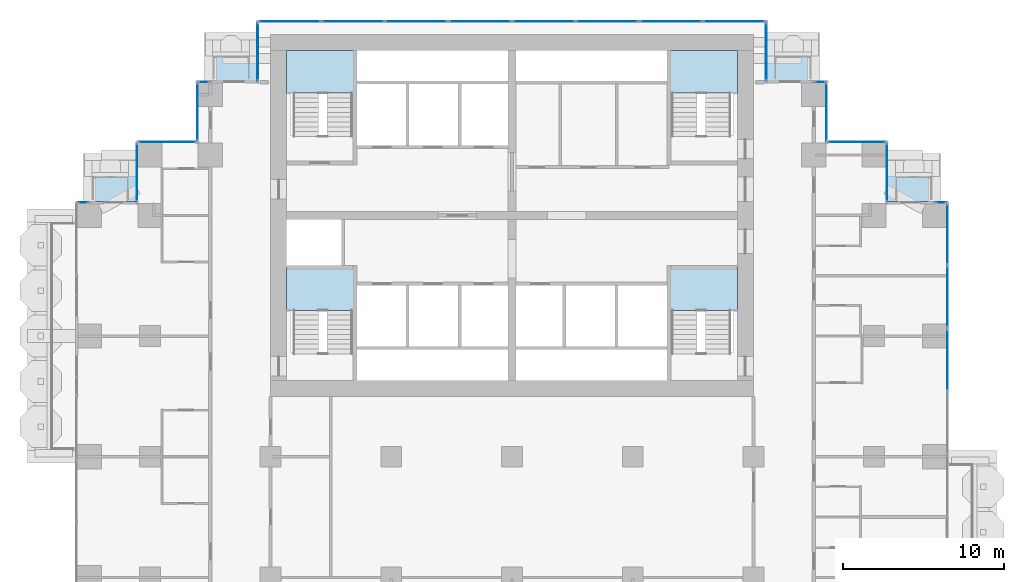
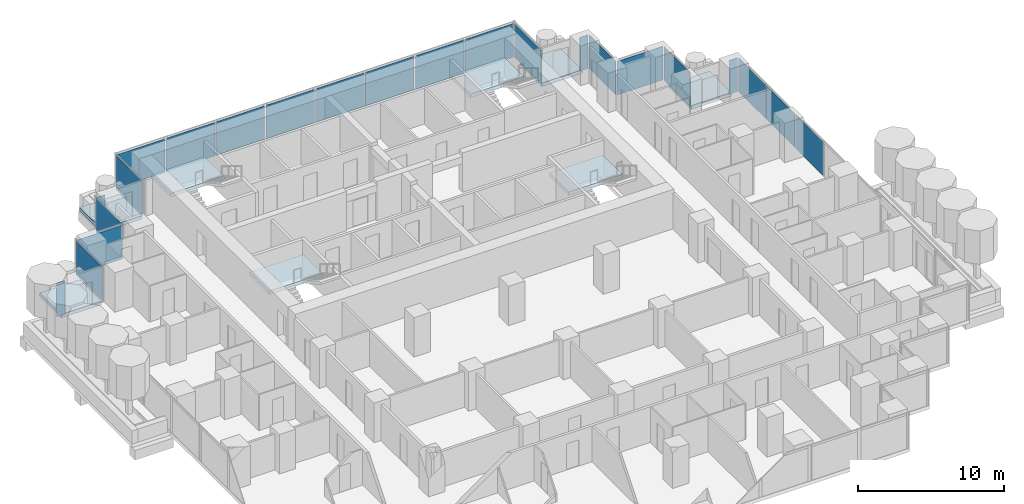
# One storey, part 9 of 18: 23 plates, 8 slabs, 21 elements without a shape of their own.
"""IFC4 building model written with IfcOpenShell, lengths in metres."""

import ifcopenshell
import ifcopenshell.guid

model = None  # the IFC model being written
_history = None  # IfcOwnerHistory: only IFC2X3 demands one
_inside = {}  # id of a spatial element -> (the spatial element, [elements in it])
_under = {}  # id of a project, library or spatial element -> (it, [spatial elements below it])
_declared = {}  # id of a project -> (the project, [libraries it declares])
_typed = {}  # id of a type object -> (the type object, [elements of that type])
_made_of = {}  # id of a material, layer set ... -> (it, [elements and type objects made of it])


def new_model(schema):
    """Start an empty IFC model of exactly this schema.

    Asked for "IFC4X3", IfcOpenShell would pick the latest addendum, in which some entities
    have other attributes; the version numbers below select the first issue.
    IFC2X3 requires an IfcOwnerHistory on every rooted entity: one is made here for all.
    """
    global model, _history
    if schema == "IFC4X3":
        model = ifcopenshell.file(schema_version=(4, 3, 0, 0))
    else:
        model = ifcopenshell.file(schema=schema)
    _inside.clear()
    _under.clear()
    _declared.clear()
    _typed.clear()
    _made_of.clear()
    _history = None
    if model.schema == "IFC2X3":
        org = make("IfcOrganization", Name="unknown")
        user = make(
            "IfcPersonAndOrganization",
            ThePerson=make("IfcPerson", FamilyName="unknown"),
            TheOrganization=org,
        )
        app = make(
            "IfcApplication",
            ApplicationDeveloper=org,
            Version="unknown",
            ApplicationFullName="unknown",
            ApplicationIdentifier="unknown",
        )
        _history = make(
            "IfcOwnerHistory",
            OwningUser=user,
            OwningApplication=app,
            ChangeAction="ADDED",
            CreationDate=0,
        )
    return model


def make(cls, **values):
    """One entity of the class cls with the attributes given. An attribute that is None is left unset."""
    return model.create_entity(
        cls, **{name: value for name, value in values.items() if value is not None}
    )


def rooted(cls, **values):
    """An entity with a GlobalId (a new one), such as an element, a storey or a relation."""
    return make(cls, GlobalId=ifcopenshell.guid.new(), OwnerHistory=_history, **values)


def si_unit(unit_type, name, prefix=None):
    """IfcSIUnit, for example si_unit("LENGTHUNIT", "METRE", prefix="MILLI")."""
    return make("IfcSIUnit", UnitType=unit_type, Prefix=prefix, Name=name)


def assignment(units):
    """IfcUnitAssignment: the units of a project."""
    return None if units is None else make("IfcUnitAssignment", Units=units)


def point(xyz):
    """IfcCartesianPoint."""
    return None if xyz is None else make("IfcCartesianPoint", Coordinates=xyz)


def direction(xyz):
    """IfcDirection."""
    return None if xyz is None else make("IfcDirection", DirectionRatios=xyz)


def frame(location, z_axis=None, x_axis=None):
    """IfcAxis2Placement3D, a coordinate frame: its origin and axes. An axis left out is left unset."""
    return make(
        "IfcAxis2Placement3D",
        Location=point(location),
        Axis=direction(z_axis),
        RefDirection=direction(x_axis),
    )


def frame_2d(location, x_axis=None):
    """IfcAxis2Placement2D, a coordinate frame in the plane: its origin and x axis."""
    return make(
        "IfcAxis2Placement2D", Location=point(location), RefDirection=direction(x_axis)
    )


def origin():
    """The frame at (0, 0, 0) with its axes left unset."""
    return frame((0.0, 0.0, 0.0))


def origin_2d():
    """The frame at (0, 0) in the plane with its x axis left unset."""
    return frame_2d((0.0, 0.0))


def place(relative_to, where):
    """IfcLocalPlacement: puts the frame where relative to a parent placement (None: the world)."""
    return make(
        "IfcLocalPlacement", PlacementRelTo=relative_to, RelativePlacement=where
    )


def context(
    kind, dimensions, precision=None, world=None, true_north=None, identifier=None
):
    """IfcGeometricRepresentationContext, for example the 3D "Model" context."""
    return make(
        "IfcGeometricRepresentationContext",
        ContextIdentifier=identifier,
        ContextType=kind,
        CoordinateSpaceDimension=dimensions,
        Precision=precision,
        WorldCoordinateSystem=world,
        TrueNorth=true_north,
    )


def subcontext(parent, identifier, kind, view, scale=None):
    """IfcGeometricRepresentationSubContext, for example "Body" below "Model"."""
    return make(
        "IfcGeometricRepresentationSubContext",
        ContextIdentifier=identifier,
        ContextType=kind,
        ParentContext=parent,
        TargetScale=scale,
        TargetView=view,
    )


def project(units=None, contexts=None):
    """IfcProject with its units and contexts."""
    return rooted(
        "IfcProject",
        Name="project",
        RepresentationContexts=contexts,
        UnitsInContext=assignment(units),
    )


def spatial(cls, under=None, at=None, **own):
    """A site, building, storey or space (cls), placed at a placement, below another one or the project."""
    s = rooted(cls, ObjectPlacement=at, **own)
    if under is not None:
        _under.setdefault(under.id(), (under, []))[1].append(s)
    return s


def polyline(points):
    """IfcPolyline through the points."""
    return make("IfcPolyline", Points=[point(p) for p in points])


def profile(cls, at=None, kind="AREA", **sizes):
    """A parametric profile (cls). Its sizes go by their IFC names, for example OverallWidth=200.0."""
    return make(cls, ProfileType=kind, Position=at, **sizes)


def rectangle(**sizes):
    """IfcRectangleProfileDef."""
    return profile("IfcRectangleProfileDef", **sizes)


def outline(outer, holes=None, kind="AREA"):
    """IfcArbitraryClosedProfileDef: a profile drawn as a closed curve; with holes, ...WithVoids."""
    if holes is None:
        return make("IfcArbitraryClosedProfileDef", ProfileType=kind, OuterCurve=outer)
    return make(
        "IfcArbitraryProfileDefWithVoids",
        ProfileType=kind,
        OuterCurve=outer,
        InnerCurves=holes,
    )


def extrude(swept, where, along, depth):
    """IfcExtrudedAreaSolid: the profile swept, set in the frame where, extruded along a direction by depth."""
    return make(
        "IfcExtrudedAreaSolid",
        SweptArea=swept,
        Position=where,
        ExtrudedDirection=direction(along),
        Depth=depth,
    )


def shape(context_of_items, identifier, shape_type, items):
    """IfcShapeRepresentation: the items that make up one representation, for example the "Body"."""
    return make(
        "IfcShapeRepresentation",
        ContextOfItems=context_of_items,
        RepresentationIdentifier=identifier,
        RepresentationType=shape_type,
        Items=items,
    )


def material(Name=None, Category=None):
    """IfcMaterial."""
    return make("IfcMaterial", Name=Name, Category=Category)


def layer(
    of_material, thickness, ventilated=None, Name=None, Category=None, Priority=None
):
    """IfcMaterialLayer: one layer of a wall or slab, of a material (None: an air gap)."""
    return make(
        "IfcMaterialLayer",
        Material=of_material,
        LayerThickness=thickness,
        IsVentilated=ventilated,
        Name=Name,
        Category=Category,
        Priority=Priority,
    )


def layer_set(layers, Name=None):
    """IfcMaterialLayerSet."""
    return make("IfcMaterialLayerSet", MaterialLayers=layers, LayerSetName=Name)


def made_of(thing, what):
    """Note that an element or type object is made of a material, layer set ...; save() writes the relation."""
    if what is not None:
        _made_of.setdefault(what.id(), (what, []))[1].append(thing)
    return thing


def type_object(cls, material=None, **own):
    """A type object (cls), such as IfcWallType, which elements share."""
    return made_of(rooted(cls, **own), material)


def element(
    cls,
    number,
    at=None,
    inside=None,
    cuts=None,
    type_object=None,
    material=None,
    context=None,
    identifier="Body",
    shape_type=None,
    held_by="IfcProductDefinitionShape",
    body=None,
    shapes=None,
    **own,
):
    """One element of the class cls, such as IfcWall. Its Tag is "e" and its number.

    at: its placement. inside: the storey or other place that contains it. cuts: it is an
    opening in that element (IfcRelVoidsElement). A single representation is given by context,
    identifier, shape_type and body (its items); several are given by shapes. held_by: the class
    of the entity that holds the representations. save() writes the other relations.
    """
    e = rooted(cls, Tag="e%d" % number, ObjectPlacement=at, **own)
    if body is not None:
        shapes = [shape(context, identifier, shape_type, body)]
    if shapes is not None:
        e.Representation = make(held_by, Representations=shapes)
    if inside is not None:
        _inside.setdefault(inside.id(), (inside, []))[1].append(e)
    if cuts is not None:
        rooted(
            "IfcRelVoidsElement", RelatingBuildingElement=cuts, RelatedOpeningElement=e
        )
    if type_object is not None:
        _typed.setdefault(type_object.id(), (type_object, []))[1].append(e)
    return made_of(e, material)


def aggregate(whole, parts):
    """IfcRelAggregates: a whole, such as a stair, and the parts it consists of."""
    return rooted("IfcRelAggregates", RelatingObject=whole, RelatedObjects=parts)


def save(model, path):
    """Write the relations noted so far, then the file.

    IfcRelAggregates (storeys below a building ...), IfcRelContainedInSpatialStructure (elements
    in a storey), IfcRelDefinesByType, IfcRelAssociatesMaterial and IfcRelDeclares: one each for
    every whole, place, type object, material and project.
    """
    for whole, parts in _under.values():
        aggregate(whole, parts)
    for where, things in _inside.values():
        rooted(
            "IfcRelContainedInSpatialStructure",
            RelatedElements=things,
            RelatingStructure=where,
        )
    for kind, things in _typed.values():
        rooted("IfcRelDefinesByType", RelatedObjects=things, RelatingType=kind)
    for what, things in _made_of.values():
        rooted("IfcRelAssociatesMaterial", RelatedObjects=things, RelatingMaterial=what)
    for by, libraries in _declared.values():
        rooted("IfcRelDeclares", RelatingContext=by, RelatedDefinitions=libraries)
    model.write(path)


model = new_model("IFC4")

# Units and contexts
model_context = context("Model", 3, precision=1e-05, world=origin(), true_north=direction((0.0, 1.0)))
body_context = subcontext(model_context, "Body", "Model", "MODEL_VIEW")
ifc_project = project(units=[si_unit("LENGTHUNIT", "METRE"), si_unit("AREAUNIT", "SQUARE_METRE"), si_unit("VOLUMEUNIT", "CUBIC_METRE"), si_unit("PLANEANGLEUNIT", "RADIAN"), si_unit("MASSUNIT", "GRAM", prefix="KILO")], contexts=[model_context])

# Site, building, storey
site_placement = place(None, origin())
site = spatial("IfcSite", under=ifc_project, at=site_placement, CompositionType="ELEMENT")
building_placement = place(site_placement, origin())
building = spatial("IfcBuilding", under=site, at=building_placement, Name="Pilkhan Gate Tower", CompositionType="ELEMENT")
storey_placement = place(building_placement, frame((0.0, 0.0, 56.0)))
storey = spatial("IfcBuildingStorey", under=building, at=storey_placement, Name="L11", CompositionType="ELEMENT", Elevation=56.0)

# Slabs
ifc_material_1 = material(Name="Concrete C60/75", Category="concrete")
ifc_layer_1 = layer(ifc_material_1, 0.300048828125)
ifc_layer_set_1 = layer_set([ifc_layer_1], Name="Balcony tray slab TR300")
slab_type_1 = type_object("IfcSlabType", Name="Balcony tray slab TR300", PredefinedType="FLOOR", material=ifc_layer_set_1)
slab_1_placement = place(storey_placement, frame((0.0, 0.0, -0.300048828125)))
element("IfcSlab", 1, at=slab_1_placement, inside=storey, type_object=slab_type_1, Name="Balcony tray L11 N", PredefinedType="FLOOR", context=body_context, shape_type="SweptSolid", body=[
    extrude(outline(polyline([(59.14990234375, 90.85009765625), (59.14990234375, 93.85009765625), (55.949951171875, 93.85009765625), (55.949951171875, 90.85009765625), (59.14990234375, 90.85009765625)])), origin(), (0.0, 0.0, 1.0), 0.300048828125),
])
slab_2_placement = place(storey_placement, frame((0.0, 0.0, -0.300048828125)))
element("IfcSlab", 2, at=slab_2_placement, inside=storey, type_object=slab_type_1, Name="Balcony tray L11 N", PredefinedType="FLOOR", context=body_context, shape_type="SweptSolid", body=[
    extrude(outline(polyline([(94.050048828125, 90.85009765625), (94.050048828125, 93.85009765625), (90.85009765625, 93.85009765625), (90.85009765625, 90.85009765625), (94.050048828125, 90.85009765625)])), origin(), (0.0, 0.0, 1.0), 0.300048828125),
])
slab_3_placement = place(storey_placement, frame((0.0, 0.0, -0.300048828125)))
element("IfcSlab", 3, at=slab_3_placement, inside=storey, type_object=slab_type_1, Name="Balcony tray L11 N", PredefinedType="FLOOR", context=body_context, shape_type="SweptSolid", body=[
    extrude(outline(polyline([(51.6298828125, 83.3701171875), (51.6298828125, 86.35009765625), (48.449951171875, 86.35009765625), (48.449951171875, 83.3701171875), (51.6298828125, 83.3701171875)])), origin(), (0.0, 0.0, 1.0), 0.300048828125),
])
slab_4_placement = place(storey_placement, frame((0.0, 0.0, -0.300048828125)))
element("IfcSlab", 4, at=slab_4_placement, inside=storey, type_object=slab_type_1, Name="Balcony tray L11 N", PredefinedType="FLOOR", context=body_context, shape_type="SweptSolid", body=[
    extrude(outline(polyline([(101.550048828125, 83.3701171875), (101.550048828125, 86.35009765625), (98.3701171875, 86.35009765625), (98.3701171875, 83.3701171875), (101.550048828125, 83.3701171875)])), origin(), (0.0, 0.0, 1.0), 0.300048828125),
])

# Curtain wall, plate
ifc_material_2 = material(Name="Pale anodised aluminium, clear low-iron double glazing", Category="aluminium")
curtain_wall_type = type_object("IfcCurtainWallType", Name="Hotel unitised curtain wall CW-H", PredefinedType="USERDEFINED", material=ifc_material_2)
curtain_wall_1_placement = place(storey_placement, origin())
curtain_wall_1 = element("IfcCurtainWall", 5, at=curtain_wall_1_placement, inside=storey, type_object=curtain_wall_type, Name="Hotel unitised curtain wall CW-H L11 E", ObjectType="UNITISED CURTAIN WALL", PredefinedType="USERDEFINED")
ifc_material_3 = material(Name="Clear low-iron double glazing", Category="glass")
ifc_layer_2 = layer(ifc_material_3, 0.035888671875)
ifc_layer_set_2 = layer_set([ifc_layer_2], Name="Glass panel CW-H 36")
plate_type = type_object("IfcPlateType", Name="Glass panel CW-H 36", PredefinedType="CURTAIN_PANEL", material=ifc_layer_set_2)
plate_1_placement = place(storey_placement, frame((102.044921875, 73.50634765625, 0.0), z_axis=(0.0, 0.0, 1.0), x_axis=(0.0, 1.0, 0.0)))
plate_1 = element("IfcPlate", 6, at=plate_1_placement, type_object=plate_type, Name="CW-H panel 3", PredefinedType="CURTAIN_PANEL", context=body_context, shape_type="SweptSolid", body=[
    extrude(rectangle(XDim=3.8115234375, YDim=0.035888671875, at=origin_2d()), origin(), (0.0, 0.0, 1.0), 2.820068359375),
])
aggregate(curtain_wall_1, [plate_1])

# Curtain wall, plates
curtain_wall_2_placement = place(storey_placement, origin())
curtain_wall_2 = element("IfcCurtainWall", 7, at=curtain_wall_2_placement, inside=storey, type_object=curtain_wall_type, Name="Hotel unitised curtain wall CW-H L11 E", ObjectType="UNITISED CURTAIN WALL", PredefinedType="USERDEFINED")
plate_2_placement = place(storey_placement, frame((102.044921875, 77.44775390625, 0.0), z_axis=(0.0, 0.0, 1.0), x_axis=(0.0, 1.0, 0.0)))
plate_2 = element("IfcPlate", 8, at=plate_2_placement, type_object=plate_type, Name="CW-H panel 1", PredefinedType="CURTAIN_PANEL", context=body_context, shape_type="SweptSolid", body=[
    extrude(rectangle(XDim=3.8115234375, YDim=0.035888671875, at=origin_2d()), origin(), (0.0, 0.0, 1.0), 2.820068359375),
])
plate_3_placement = place(storey_placement, frame((102.044921875, 81.32421875, 0.0), z_axis=(0.0, 0.0, 1.0), x_axis=(0.0, 1.0, 0.0)))
plate_3 = element("IfcPlate", 9, at=plate_3_placement, type_object=plate_type, Name="CW-H panel 2", PredefinedType="CURTAIN_PANEL", context=body_context, shape_type="SweptSolid", body=[
    extrude(rectangle(XDim=3.8115234375, YDim=0.035888671875, at=origin_2d()), origin(), (0.0, 0.0, 1.0), 2.820068359375),
])
aggregate(curtain_wall_2, [plate_2, plate_3])

# Curtain wall, plate
curtain_wall_3_placement = place(storey_placement, origin())
curtain_wall_3 = element("IfcCurtainWall", 10, at=curtain_wall_3_placement, inside=storey, type_object=curtain_wall_type, Name="Hotel unitised curtain wall CW-H L11 N", ObjectType="UNITISED CURTAIN WALL", PredefinedType="USERDEFINED")
plate_4_placement = place(storey_placement, frame((101.6474609375, 83.294921875, 0.0), z_axis=(0.0, 0.0, 1.0), x_axis=(1.0, 0.0, 0.0)))
plate_4 = element("IfcPlate", 11, at=plate_4_placement, type_object=plate_type, Name="CW-H panel 1", PredefinedType="CURTAIN_PANEL", context=body_context, shape_type="SweptSolid", body=[
    extrude(rectangle(XDim=0.6650390625, YDim=0.035888671875, at=origin_2d()), origin(), (0.0, 0.0, 1.0), 2.820068359375),
])
aggregate(curtain_wall_3, [plate_4])

curtain_wall_4_placement = place(storey_placement, origin())
curtain_wall_4 = element("IfcCurtainWall", 12, at=curtain_wall_4_placement, inside=storey, type_object=curtain_wall_type, Name="Hotel unitised curtain wall CW-H L11 E", ObjectType="UNITISED CURTAIN WALL", PredefinedType="USERDEFINED")
plate_5_placement = place(storey_placement, frame((98.294921875, 85.169921875, 0.0), z_axis=(0.0, 0.0, 1.0), x_axis=(0.0, 1.0, 0.0)))
plate_5 = element("IfcPlate", 13, at=plate_5_placement, type_object=plate_type, Name="CW-H panel 1", PredefinedType="CURTAIN_PANEL", context=body_context, shape_type="SweptSolid", body=[
    extrude(rectangle(XDim=3.6201171875, YDim=0.035888671875, at=origin_2d()), origin(), (0.0, 0.0, 1.0), 2.820068359375),
])
aggregate(curtain_wall_4, [plate_5])

curtain_wall_5_placement = place(storey_placement, origin())
curtain_wall_5 = element("IfcCurtainWall", 14, at=curtain_wall_5_placement, inside=storey, type_object=curtain_wall_type, Name="Hotel unitised curtain wall CW-H L11 N", ObjectType="UNITISED CURTAIN WALL", PredefinedType="USERDEFINED")
plate_6_placement = place(storey_placement, frame((96.419921875, 87.044921875, 0.0), z_axis=(0.0, 0.0, 1.0), x_axis=(1.0, 0.0, 0.0)))
plate_6 = element("IfcPlate", 15, at=plate_6_placement, type_object=plate_type, Name="CW-H panel 1", PredefinedType="CURTAIN_PANEL", context=body_context, shape_type="SweptSolid", body=[
    extrude(rectangle(XDim=3.6201171875, YDim=0.035888671875, at=origin_2d()), origin(), (0.0, 0.0, 1.0), 2.820068359375),
])
aggregate(curtain_wall_5, [plate_6])

curtain_wall_6_placement = place(storey_placement, origin())
curtain_wall_6 = element("IfcCurtainWall", 16, at=curtain_wall_6_placement, inside=storey, type_object=curtain_wall_type, Name="Hotel unitised curtain wall CW-H L11 E", ObjectType="UNITISED CURTAIN WALL", PredefinedType="USERDEFINED")
plate_7_placement = place(storey_placement, frame((94.544921875, 88.919921875, 0.0), z_axis=(0.0, 0.0, 1.0), x_axis=(0.0, 1.0, 0.0)))
plate_7 = element("IfcPlate", 17, at=plate_7_placement, type_object=plate_type, Name="CW-H panel 1", PredefinedType="CURTAIN_PANEL", context=body_context, shape_type="SweptSolid", body=[
    extrude(rectangle(XDim=3.6201171875, YDim=0.035888671875, at=origin_2d()), origin(), (0.0, 0.0, 1.0), 2.820068359375),
])
aggregate(curtain_wall_6, [plate_7])

curtain_wall_7_placement = place(storey_placement, origin())
curtain_wall_7 = element("IfcCurtainWall", 18, at=curtain_wall_7_placement, inside=storey, type_object=curtain_wall_type, Name="Hotel unitised curtain wall CW-H L11 N", ObjectType="UNITISED CURTAIN WALL", PredefinedType="USERDEFINED")
plate_8_placement = place(storey_placement, frame((94.1474609375, 90.794921875, 0.0), z_axis=(0.0, 0.0, 1.0), x_axis=(1.0, 0.0, 0.0)))
plate_8 = element("IfcPlate", 19, at=plate_8_placement, type_object=plate_type, Name="CW-H panel 1", PredefinedType="CURTAIN_PANEL", context=body_context, shape_type="SweptSolid", body=[
    extrude(rectangle(XDim=0.6650390625, YDim=0.035888671875, at=origin_2d()), origin(), (0.0, 0.0, 1.0), 2.820068359375),
])
aggregate(curtain_wall_7, [plate_8])

curtain_wall_8_placement = place(storey_placement, origin())
curtain_wall_8 = element("IfcCurtainWall", 20, at=curtain_wall_8_placement, inside=storey, type_object=curtain_wall_type, Name="Hotel unitised curtain wall CW-H L11 E", ObjectType="UNITISED CURTAIN WALL", PredefinedType="USERDEFINED")
plate_9_placement = place(storey_placement, frame((90.794921875, 92.669921875, 0.0), z_axis=(0.0, 0.0, 1.0), x_axis=(0.0, 1.0, 0.0)))
plate_9 = element("IfcPlate", 21, at=plate_9_placement, type_object=plate_type, Name="CW-H panel 1", PredefinedType="CURTAIN_PANEL", context=body_context, shape_type="SweptSolid", body=[
    extrude(rectangle(XDim=3.6201171875, YDim=0.035888671875, at=origin_2d()), origin(), (0.0, 0.0, 1.0), 2.820068359375),
])
aggregate(curtain_wall_8, [plate_9])

# Curtain wall, plates
curtain_wall_9_placement = place(storey_placement, origin())
curtain_wall_9 = element("IfcCurtainWall", 22, at=curtain_wall_9_placement, inside=storey, type_object=curtain_wall_type, Name="Hotel unitised curtain wall CW-H L11 N", ObjectType="UNITISED CURTAIN WALL", PredefinedType="USERDEFINED")
plate_10_placement = place(storey_placement, frame((61.195556640625, 94.544921875, 0.0), z_axis=(0.0, 0.0, 1.0), x_axis=(1.0, 0.0, 0.0)))
plate_10 = element("IfcPlate", 23, at=plate_10_placement, type_object=plate_type, Name="CW-H panel 1", PredefinedType="CURTAIN_PANEL", context=body_context, shape_type="SweptSolid", body=[
    extrude(rectangle(XDim=3.851318359375, YDim=0.035888671875, at=origin_2d()), origin(), (0.0, 0.0, 1.0), 2.820068359375),
])
plate_11_placement = place(storey_placement, frame((65.128173828125, 94.544921875, 0.0), z_axis=(0.0, 0.0, 1.0), x_axis=(1.0, 0.0, 0.0)))
plate_11 = element("IfcPlate", 24, at=plate_11_placement, type_object=plate_type, Name="CW-H panel 2", PredefinedType="CURTAIN_PANEL", context=body_context, shape_type="SweptSolid", body=[
    extrude(rectangle(XDim=3.8837890625, YDim=0.035888671875, at=origin_2d()), origin(), (0.0, 0.0, 1.0), 2.820068359375),
])
plate_12_placement = place(storey_placement, frame((69.060546875, 94.544921875, 0.0), z_axis=(0.0, 0.0, 1.0), x_axis=(1.0, 0.0, 0.0)))
plate_12 = element("IfcPlate", 25, at=plate_12_placement, type_object=plate_type, Name="CW-H panel 3", PredefinedType="CURTAIN_PANEL", context=body_context, shape_type="SweptSolid", body=[
    extrude(rectangle(XDim=3.851318359375, YDim=0.035888671875, at=origin_2d()), origin(), (0.0, 0.0, 1.0), 2.820068359375),
])
aggregate(curtain_wall_9, [plate_10, plate_11, plate_12])

curtain_wall_10_placement = place(storey_placement, origin())
curtain_wall_10 = element("IfcCurtainWall", 26, at=curtain_wall_10_placement, inside=storey, type_object=curtain_wall_type, Name="Hotel unitised curtain wall CW-H L11 N", ObjectType="UNITISED CURTAIN WALL", PredefinedType="USERDEFINED")
plate_13_placement = place(storey_placement, frame((73.0419921875, 94.544921875, 0.0), z_axis=(0.0, 0.0, 1.0), x_axis=(1.0, 0.0, 0.0)))
plate_13 = element("IfcPlate", 27, at=plate_13_placement, type_object=plate_type, Name="CW-H panel 1", PredefinedType="CURTAIN_PANEL", context=body_context, shape_type="SweptSolid", body=[
    extrude(rectangle(XDim=3.851318359375, YDim=0.035888671875, at=origin_2d()), origin(), (0.0, 0.0, 1.0), 2.820068359375),
])
plate_14_placement = place(storey_placement, frame((76.974365234375, 94.544921875, 0.0), z_axis=(0.0, 0.0, 1.0), x_axis=(1.0, 0.0, 0.0)))
plate_14 = element("IfcPlate", 28, at=plate_14_placement, type_object=plate_type, Name="CW-H panel 2", PredefinedType="CURTAIN_PANEL", context=body_context, shape_type="SweptSolid", body=[
    extrude(rectangle(XDim=3.8837890625, YDim=0.035888671875, at=origin_2d()), origin(), (0.0, 0.0, 1.0), 2.820068359375),
])
plate_15_placement = place(storey_placement, frame((80.906982421875, 94.544921875, 0.0), z_axis=(0.0, 0.0, 1.0), x_axis=(1.0, 0.0, 0.0)))
plate_15 = element("IfcPlate", 29, at=plate_15_placement, type_object=plate_type, Name="CW-H panel 3", PredefinedType="CURTAIN_PANEL", context=body_context, shape_type="SweptSolid", body=[
    extrude(rectangle(XDim=3.851318359375, YDim=0.035888671875, at=origin_2d()), origin(), (0.0, 0.0, 1.0), 2.820068359375),
])
aggregate(curtain_wall_10, [plate_13, plate_14, plate_15])

curtain_wall_11_placement = place(storey_placement, origin())
curtain_wall_11 = element("IfcCurtainWall", 30, at=curtain_wall_11_placement, inside=storey, type_object=curtain_wall_type, Name="Hotel unitised curtain wall CW-H L11 N", ObjectType="UNITISED CURTAIN WALL", PredefinedType="USERDEFINED")
plate_16_placement = place(storey_placement, frame((84.88818359375, 94.544921875, 0.0), z_axis=(0.0, 0.0, 1.0), x_axis=(1.0, 0.0, 0.0)))
plate_16 = element("IfcPlate", 31, at=plate_16_placement, type_object=plate_type, Name="CW-H panel 1", PredefinedType="CURTAIN_PANEL", context=body_context, shape_type="SweptSolid", body=[
    extrude(rectangle(XDim=3.851318359375, YDim=0.035888671875, at=origin_2d()), origin(), (0.0, 0.0, 1.0), 2.820068359375),
])
plate_17_placement = place(storey_placement, frame((88.804443359375, 94.544921875, 0.0), z_axis=(0.0, 0.0, 1.0), x_axis=(1.0, 0.0, 0.0)))
plate_17 = element("IfcPlate", 32, at=plate_17_placement, type_object=plate_type, Name="CW-H panel 2", PredefinedType="CURTAIN_PANEL", context=body_context, shape_type="SweptSolid", body=[
    extrude(rectangle(XDim=3.851318359375, YDim=0.035888671875, at=origin_2d()), origin(), (0.0, 0.0, 1.0), 2.820068359375),
])
aggregate(curtain_wall_11, [plate_16, plate_17])

# Curtain wall, plate
curtain_wall_12_placement = place(storey_placement, origin())
curtain_wall_12 = element("IfcCurtainWall", 33, at=curtain_wall_12_placement, inside=storey, type_object=curtain_wall_type, Name="Hotel unitised curtain wall CW-H L11 W", ObjectType="UNITISED CURTAIN WALL", PredefinedType="USERDEFINED")
plate_18_placement = place(storey_placement, frame((59.205078125, 92.669921875, 0.0), z_axis=(0.0, 0.0, 1.0), x_axis=(0.0, 1.0, 0.0)))
plate_18 = element("IfcPlate", 34, at=plate_18_placement, type_object=plate_type, Name="CW-H panel 1", PredefinedType="CURTAIN_PANEL", context=body_context, shape_type="SweptSolid", body=[
    extrude(rectangle(XDim=3.6201171875, YDim=0.035888671875, at=origin_2d()), origin(), (0.0, 0.0, 1.0), 2.820068359375),
])
aggregate(curtain_wall_12, [plate_18])

curtain_wall_13_placement = place(storey_placement, origin())
curtain_wall_13 = element("IfcCurtainWall", 35, at=curtain_wall_13_placement, inside=storey, type_object=curtain_wall_type, Name="Hotel unitised curtain wall CW-H L11 N", ObjectType="UNITISED CURTAIN WALL", PredefinedType="USERDEFINED")
plate_19_placement = place(storey_placement, frame((55.8525390625, 90.794921875, 0.0), z_axis=(0.0, 0.0, 1.0), x_axis=(1.0, 0.0, 0.0)))
plate_19 = element("IfcPlate", 36, at=plate_19_placement, type_object=plate_type, Name="CW-H panel 1", PredefinedType="CURTAIN_PANEL", context=body_context, shape_type="SweptSolid", body=[
    extrude(rectangle(XDim=0.6650390625, YDim=0.035888671875, at=origin_2d()), origin(), (0.0, 0.0, 1.0), 2.820068359375),
])
aggregate(curtain_wall_13, [plate_19])

curtain_wall_14_placement = place(storey_placement, origin())
curtain_wall_14 = element("IfcCurtainWall", 37, at=curtain_wall_14_placement, inside=storey, type_object=curtain_wall_type, Name="Hotel unitised curtain wall CW-H L11 W", ObjectType="UNITISED CURTAIN WALL", PredefinedType="USERDEFINED")
plate_20_placement = place(storey_placement, frame((55.455078125, 88.919921875, 0.0), z_axis=(0.0, 0.0, 1.0), x_axis=(0.0, 1.0, 0.0)))
plate_20 = element("IfcPlate", 38, at=plate_20_placement, type_object=plate_type, Name="CW-H panel 1", PredefinedType="CURTAIN_PANEL", context=body_context, shape_type="SweptSolid", body=[
    extrude(rectangle(XDim=3.6201171875, YDim=0.035888671875, at=origin_2d()), origin(), (0.0, 0.0, 1.0), 2.820068359375),
])
aggregate(curtain_wall_14, [plate_20])

curtain_wall_15_placement = place(storey_placement, origin())
curtain_wall_15 = element("IfcCurtainWall", 39, at=curtain_wall_15_placement, inside=storey, type_object=curtain_wall_type, Name="Hotel unitised curtain wall CW-H L11 N", ObjectType="UNITISED CURTAIN WALL", PredefinedType="USERDEFINED")
plate_21_placement = place(storey_placement, frame((53.580078125, 87.044921875, 0.0), z_axis=(0.0, 0.0, 1.0), x_axis=(1.0, 0.0, 0.0)))
plate_21 = element("IfcPlate", 40, at=plate_21_placement, type_object=plate_type, Name="CW-H panel 1", PredefinedType="CURTAIN_PANEL", context=body_context, shape_type="SweptSolid", body=[
    extrude(rectangle(XDim=3.6201171875, YDim=0.035888671875, at=origin_2d()), origin(), (0.0, 0.0, 1.0), 2.820068359375),
])
aggregate(curtain_wall_15, [plate_21])

curtain_wall_16_placement = place(storey_placement, origin())
curtain_wall_16 = element("IfcCurtainWall", 41, at=curtain_wall_16_placement, inside=storey, type_object=curtain_wall_type, Name="Hotel unitised curtain wall CW-H L11 W", ObjectType="UNITISED CURTAIN WALL", PredefinedType="USERDEFINED")
plate_22_placement = place(storey_placement, frame((51.705078125, 85.169921875, 0.0), z_axis=(0.0, 0.0, 1.0), x_axis=(0.0, 1.0, 0.0)))
plate_22 = element("IfcPlate", 42, at=plate_22_placement, type_object=plate_type, Name="CW-H panel 1", PredefinedType="CURTAIN_PANEL", context=body_context, shape_type="SweptSolid", body=[
    extrude(rectangle(XDim=3.6201171875, YDim=0.035888671875, at=origin_2d()), origin(), (0.0, 0.0, 1.0), 2.820068359375),
])
aggregate(curtain_wall_16, [plate_22])

curtain_wall_17_placement = place(storey_placement, origin())
curtain_wall_17 = element("IfcCurtainWall", 43, at=curtain_wall_17_placement, inside=storey, type_object=curtain_wall_type, Name="Hotel unitised curtain wall CW-H L11 N", ObjectType="UNITISED CURTAIN WALL", PredefinedType="USERDEFINED")
plate_23_placement = place(storey_placement, frame((48.3525390625, 83.294921875, 0.0), z_axis=(0.0, 0.0, 1.0), x_axis=(1.0, 0.0, 0.0)))
plate_23 = element("IfcPlate", 44, at=plate_23_placement, type_object=plate_type, Name="CW-H panel 1", PredefinedType="CURTAIN_PANEL", context=body_context, shape_type="SweptSolid", body=[
    extrude(rectangle(XDim=0.6650390625, YDim=0.035888671875, at=origin_2d()), origin(), (0.0, 0.0, 1.0), 2.820068359375),
])
aggregate(curtain_wall_17, [plate_23])

# Stair, slab
ifc_material_4 = material(Name="Concrete C40/50 precast", Category="concrete")
stair_type_1 = type_object("IfcStairType", Name="Stair ST1 165x300", PredefinedType="HALF_TURN_STAIR", material=ifc_material_4)
stair_1_placement = place(storey_placement, origin())
stair_1 = element("IfcStair", 45, at=stair_1_placement, inside=storey, type_object=stair_type_1, Name="Stair ST1 L11", PredefinedType="HALF_TURN_STAIR")
ifc_material_5 = material(Name="Concrete C40/50", Category="concrete")
ifc_layer_3 = layer(ifc_material_5, 0.199951171875)
ifc_layer_set_3 = layer_set([ifc_layer_3], Name="Stair landing SL200")
slab_type_2 = type_object("IfcSlabType", Name="Stair landing SL200", PredefinedType="LANDING", material=ifc_layer_set_3)
slab_5_placement = place(storey_placement, frame((0.0, 0.0, 1.35009765625)))
slab_5 = element("IfcSlab", 46, at=slab_5_placement, type_object=slab_type_2, Name="ST1 landing 1", PredefinedType="LANDING", context=body_context, shape_type="SweptSolid", body=[
    extrude(outline(polyline([(89.0, 76.60009765625), (89.0, 79.25), (84.75, 79.25), (84.75, 76.60009765625), (89.0, 76.60009765625)])), origin(), (0.0, 0.0, 1.0), 0.2998046875),
])
aggregate(stair_1, [slab_5])

stair_type_2 = type_object("IfcStairType", Name="Stair ST2 165x300", PredefinedType="HALF_TURN_STAIR", material=ifc_material_4)
stair_2_placement = place(storey_placement, origin())
stair_2 = element("IfcStair", 47, at=stair_2_placement, inside=storey, type_object=stair_type_2, Name="Stair ST2 L11", PredefinedType="HALF_TURN_STAIR")
slab_6_placement = place(storey_placement, frame((0.0, 0.0, 1.35009765625)))
slab_6 = element("IfcSlab", 48, at=slab_6_placement, type_object=slab_type_2, Name="ST2 landing 1", PredefinedType="LANDING", context=body_context, shape_type="SweptSolid", body=[
    extrude(outline(polyline([(65.25, 76.60009765625), (65.25, 79.25), (61.0, 79.25), (61.0, 76.60009765625), (65.25, 76.60009765625)])), origin(), (0.0, 0.0, 1.0), 0.2998046875),
])
aggregate(stair_2, [slab_6])

stair_type_3 = type_object("IfcStairType", Name="Stair ST3 165x300", PredefinedType="HALF_TURN_STAIR", material=ifc_material_4)
stair_3_placement = place(storey_placement, origin())
stair_3 = element("IfcStair", 49, at=stair_3_placement, inside=storey, type_object=stair_type_3, Name="Stair ST3 L11", PredefinedType="HALF_TURN_STAIR")
slab_7_placement = place(storey_placement, frame((0.0, 0.0, 1.35009765625)))
slab_7 = element("IfcSlab", 50, at=slab_7_placement, type_object=slab_type_2, Name="ST3 landing 1", PredefinedType="LANDING", context=body_context, shape_type="SweptSolid", body=[
    extrude(outline(polyline([(65.25, 90.10009765625), (65.25, 92.75), (61.0, 92.75), (61.0, 90.10009765625), (65.25, 90.10009765625)])), origin(), (0.0, 0.0, 1.0), 0.2998046875),
])
aggregate(stair_3, [slab_7])

stair_type_4 = type_object("IfcStairType", Name="Stair ST4 165x300", PredefinedType="HALF_TURN_STAIR", material=ifc_material_4)
stair_4_placement = place(storey_placement, origin())
stair_4 = element("IfcStair", 51, at=stair_4_placement, inside=storey, type_object=stair_type_4, Name="Stair ST4 L11", PredefinedType="HALF_TURN_STAIR")
slab_8_placement = place(storey_placement, frame((0.0, 0.0, 1.35009765625)))
slab_8 = element("IfcSlab", 52, at=slab_8_placement, type_object=slab_type_2, Name="ST4 landing 1", PredefinedType="LANDING", context=body_context, shape_type="SweptSolid", body=[
    extrude(outline(polyline([(89.0, 90.10009765625), (89.0, 92.75), (84.75, 92.75), (84.75, 90.10009765625), (89.0, 90.10009765625)])), origin(), (0.0, 0.0, 1.0), 0.2998046875),
])
aggregate(stair_4, [slab_8])

save(model, "model.ifc")
